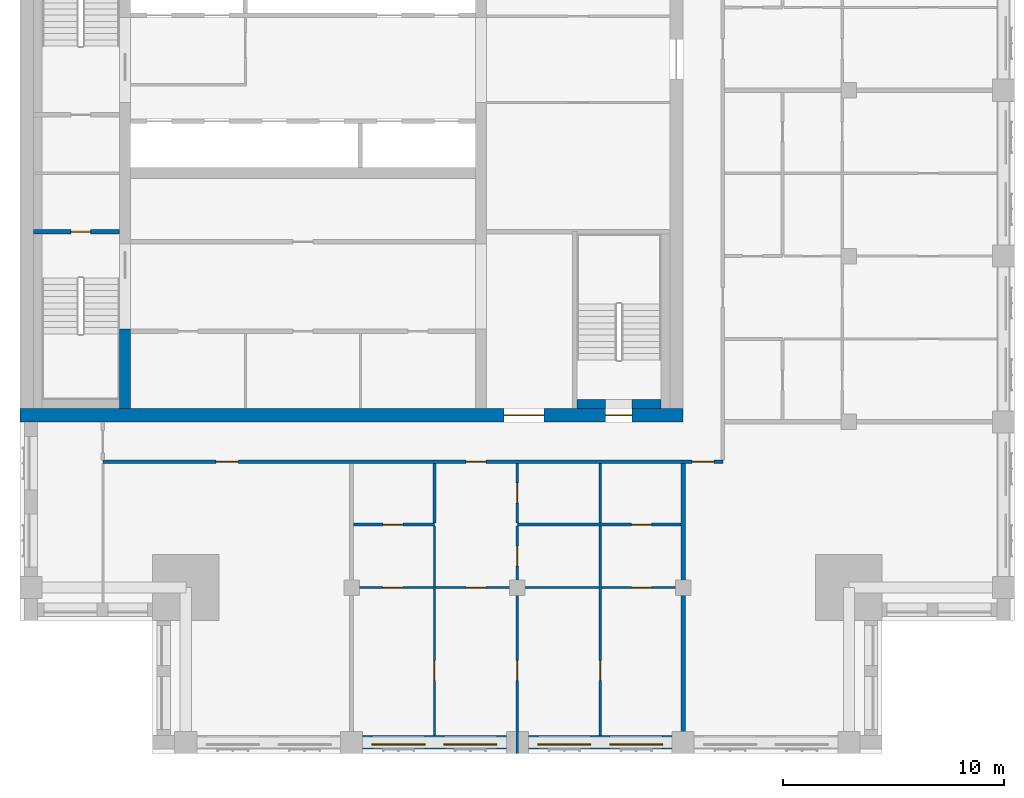
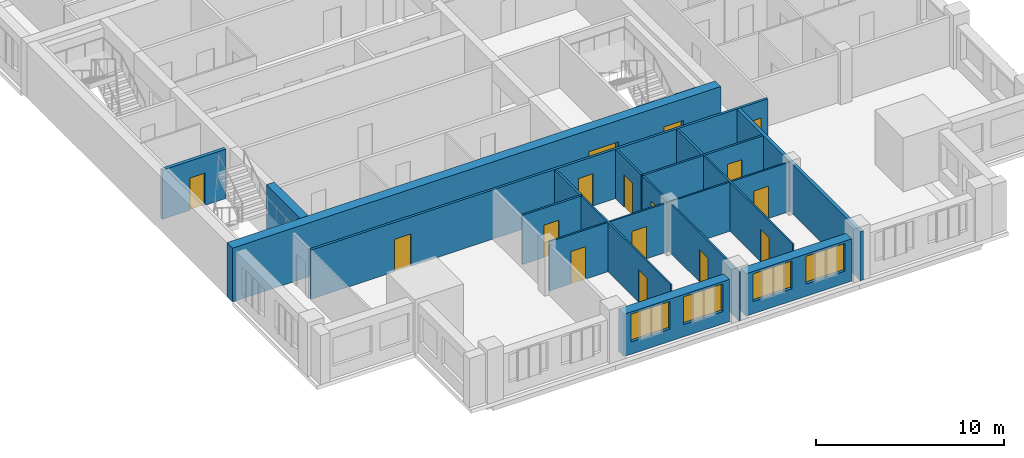
# One storey, part 3 of 10: 18 walls, 16 doors, 4 windows, 20 openings.
"""IFC4 building model written with IfcOpenShell, lengths in metres."""

from ifc_helpers import new_model, si_unit, direction, frame, frame_2d, origin, place, context, subcontext, project, spatial, rectangle, extrude, material, layer, layer_set, type_object, element, fill, save


model = new_model("IFC4")

# Units and contexts
model_context = context("Model", 3, precision=1e-05, world=origin(), true_north=direction((0.0, 1.0)))
body_context = subcontext(model_context, "Body", "Model", "MODEL_VIEW")
ifc_project = project(units=[si_unit("LENGTHUNIT", "METRE"), si_unit("AREAUNIT", "SQUARE_METRE"), si_unit("VOLUMEUNIT", "CUBIC_METRE"), si_unit("PLANEANGLEUNIT", "RADIAN"), si_unit("MASSUNIT", "GRAM", prefix="KILO")], contexts=[model_context])

# Site, building, storey
site_placement = place(None, origin())
site = spatial("IfcSite", under=ifc_project, at=site_placement, CompositionType="ELEMENT")
building_placement = place(site_placement, origin())
building = spatial("IfcBuilding", under=site, at=building_placement, Name="Tamorin Gate", CompositionType="ELEMENT")
storey_placement = place(building_placement, frame((0.0, 0.0, 283.699951171875)))
storey = spatial("IfcBuildingStorey", under=building, at=storey_placement, Name="L71", CompositionType="ELEMENT", Elevation=283.699951171875)

# Wall, openings, windows
ifc_material_1 = material(Name="Precast concrete C40/50", Category="concrete")
ifc_layer_1 = layer(ifc_material_1, 0.60009765625)
ifc_layer_set_1 = layer_set([ifc_layer_1], Name="Precast concrete C40/50")
wall_type_1 = type_object("IfcWallType", Name="Board-marked concrete facade panel 600", PredefinedType="SOLIDWALL", material=ifc_layer_set_1)
wall_1_placement = place(storey_placement, frame((45.5, 45.5, 0.0), z_axis=(0.0, 0.0, 1.0), x_axis=(1.0, 0.0, 0.0)))
wall_1 = element("IfcWall", 1, at=wall_1_placement, inside=storey, type_object=wall_type_1, Name="Facade panel", PredefinedType="SOLIDWALL", context=body_context, shape_type="SweptSolid", body=[
    extrude(rectangle(XDim=6.5, YDim=0.60009765625, at=frame_2d((3.25, 0.0))), origin(), (0.0, 0.0, 1.0), 2.75),
])
opening_1_placement = place(wall_1_placement, frame((0.425048828125, 0.0, 0.800048828125)))
opening_1 = element("IfcOpeningElement", 2, at=opening_1_placement, cuts=wall_1, Name="Opening WN1", PredefinedType="OPENING", context=body_context, shape_type="SweptSolid", body=[
    extrude(rectangle(XDim=2.39990234375, YDim=1.800048828125, at=frame_2d((1.199951171875, 0.89990234375))), frame((0.0, 0.31005859375, 0.0), z_axis=(0.0, -1.0, 0.0), x_axis=(1.0, 0.0, 0.0)), (0.0, 0.0, 1.0), 0.6201171875),
])
opening_2_placement = place(wall_1_placement, frame((3.675048828125, 0.0, 0.800048828125)))
opening_2 = element("IfcOpeningElement", 3, at=opening_2_placement, cuts=wall_1, Name="Opening WN1", PredefinedType="OPENING", context=body_context, shape_type="SweptSolid", body=[
    extrude(rectangle(XDim=2.39990234375, YDim=1.800048828125, at=frame_2d((1.199951171875, 0.89990234375))), frame((0.0, 0.31005859375, 0.0), z_axis=(0.0, -1.0, 0.0), x_axis=(1.0, 0.0, 0.0)), (0.0, 0.0, 1.0), 0.6201171875),
])
ifc_material_2 = material(Name="Clear glass in aluminium frame", Category="aluminium")
window_type = type_object("IfcWindowType", Name="Deep-set window 2400x1800", PartitioningType="SINGLE_PANEL", PredefinedType="WINDOW", material=ifc_material_2)
window_1_placement = place(opening_1_placement, origin())
window_1 = element("IfcWindow", 4, at=window_1_placement, inside=storey, type_object=window_type, Name="Deep-set window", OverallHeight=1.800048828125, OverallWidth=2.39990234375, PartitioningType="SINGLE_PANEL", PredefinedType="WINDOW", context=body_context, shape_type="SweptSolid", body=[
    extrude(rectangle(XDim=2.39990234375, YDim=1.800048828125, at=frame_2d((1.199951171875, 0.89990234375))), frame((0.0, -0.070068359375, 0.0), z_axis=(0.0, -1.0, 0.0), x_axis=(1.0, 0.0, 0.0)), (0.0, 0.0, 1.0), 0.06005859375),
])
fill(opening_1, window_1)
window_2_placement = place(opening_2_placement, origin())
window_2 = element("IfcWindow", 5, at=window_2_placement, inside=storey, type_object=window_type, Name="Deep-set window", OverallHeight=1.800048828125, OverallWidth=2.39990234375, PartitioningType="SINGLE_PANEL", PredefinedType="WINDOW", context=body_context, shape_type="SweptSolid", body=[
    extrude(rectangle(XDim=2.39990234375, YDim=1.800048828125, at=frame_2d((1.199951171875, 0.89990234375))), frame((0.0, -0.070068359375, 0.0), z_axis=(0.0, -1.0, 0.0), x_axis=(1.0, 0.0, 0.0)), (0.0, 0.0, 1.0), 0.06005859375),
])
fill(opening_2, window_2)

wall_2_placement = place(storey_placement, frame((53.0, 45.5, 0.0), z_axis=(0.0, 0.0, 1.0), x_axis=(1.0, 0.0, 0.0)))
wall_2 = element("IfcWall", 6, at=wall_2_placement, inside=storey, type_object=wall_type_1, Name="Facade panel", PredefinedType="SOLIDWALL", context=body_context, shape_type="SweptSolid", body=[
    extrude(rectangle(XDim=6.5, YDim=0.60009765625, at=frame_2d((3.25, 0.0))), origin(), (0.0, 0.0, 1.0), 2.75),
])
opening_3_placement = place(wall_2_placement, frame((0.425048828125, 0.0, 0.800048828125)))
opening_3 = element("IfcOpeningElement", 7, at=opening_3_placement, cuts=wall_2, Name="Opening WN1", PredefinedType="OPENING", context=body_context, shape_type="SweptSolid", body=[
    extrude(rectangle(XDim=2.39990234375, YDim=1.800048828125, at=frame_2d((1.199951171875, 0.89990234375))), frame((0.0, 0.31005859375, 0.0), z_axis=(0.0, -1.0, 0.0), x_axis=(1.0, 0.0, 0.0)), (0.0, 0.0, 1.0), 0.6201171875),
])
opening_4_placement = place(wall_2_placement, frame((3.675048828125, 0.0, 0.800048828125)))
opening_4 = element("IfcOpeningElement", 8, at=opening_4_placement, cuts=wall_2, Name="Opening WN1", PredefinedType="OPENING", context=body_context, shape_type="SweptSolid", body=[
    extrude(rectangle(XDim=2.39990234375, YDim=1.800048828125, at=frame_2d((1.199951171875, 0.89990234375))), frame((0.0, 0.31005859375, 0.0), z_axis=(0.0, -1.0, 0.0), x_axis=(1.0, 0.0, 0.0)), (0.0, 0.0, 1.0), 0.6201171875),
])
window_3_placement = place(opening_3_placement, origin())
window_3 = element("IfcWindow", 9, at=window_3_placement, inside=storey, type_object=window_type, Name="Deep-set window", OverallHeight=1.800048828125, OverallWidth=2.39990234375, PartitioningType="SINGLE_PANEL", PredefinedType="WINDOW", context=body_context, shape_type="SweptSolid", body=[
    extrude(rectangle(XDim=2.39990234375, YDim=1.800048828125, at=frame_2d((1.199951171875, 0.89990234375))), frame((0.0, -0.070068359375, 0.0), z_axis=(0.0, -1.0, 0.0), x_axis=(1.0, 0.0, 0.0)), (0.0, 0.0, 1.0), 0.06005859375),
])
fill(opening_3, window_3)
window_4_placement = place(opening_4_placement, origin())
window_4 = element("IfcWindow", 10, at=window_4_placement, inside=storey, type_object=window_type, Name="Deep-set window", OverallHeight=1.800048828125, OverallWidth=2.39990234375, PartitioningType="SINGLE_PANEL", PredefinedType="WINDOW", context=body_context, shape_type="SweptSolid", body=[
    extrude(rectangle(XDim=2.39990234375, YDim=1.800048828125, at=frame_2d((1.199951171875, 0.89990234375))), frame((0.0, -0.070068359375, 0.0), z_axis=(0.0, -1.0, 0.0), x_axis=(1.0, 0.0, 0.0)), (0.0, 0.0, 1.0), 0.06005859375),
])
fill(opening_4, window_4)

# Wall, openings, doors
ifc_material_3 = material(Name="Gypsum board partition")
ifc_layer_2 = layer(ifc_material_3, 0.14990234375)
ifc_layer_set_2 = layer_set([ifc_layer_2], Name="Corridor wall 150")
wall_type_2 = type_object("IfcWallType", Name="Corridor wall 150", PredefinedType="PARTITIONING", material=ifc_layer_set_2)
wall_3_placement = place(storey_placement, frame((33.75, 58.199951171875, 0.0), z_axis=(0.0, 0.0, 1.0), x_axis=(1.0, 0.0, 0.0)))
wall_3 = element("IfcWall", 11, at=wall_3_placement, inside=storey, type_object=wall_type_2, Name="Corridor wall 150", PredefinedType="PARTITIONING", context=body_context, shape_type="SweptSolid", body=[
    extrude(rectangle(XDim=28.050048828125, YDim=0.14990234375, at=frame_2d((14.02490234375, 0.0))), origin(), (0.0, 0.0, 1.0), 3.199951171875),
])
opening_5_placement = place(wall_3_placement, frame((5.125, 0.0, 0.0)))
opening_5 = element("IfcOpeningElement", 12, at=opening_5_placement, cuts=wall_3, Name="Opening DR10002", PredefinedType="OPENING", context=body_context, shape_type="SweptSolid", body=[
    extrude(rectangle(XDim=1.0, YDim=2.10009765625, at=frame_2d((0.5, 1.050048828125))), frame((0.0, 0.0849609375, 0.0), z_axis=(0.0, -1.0, 0.0), x_axis=(1.0, 0.0, 0.0)), (0.0, 0.0, 1.0), 0.169921875),
])
opening_6_placement = place(wall_3_placement, frame((16.425048828125, 0.0, 0.0)))
opening_6 = element("IfcOpeningElement", 13, at=opening_6_placement, cuts=wall_3, Name="Opening DR10005", PredefinedType="OPENING", context=body_context, shape_type="SweptSolid", body=[
    extrude(rectangle(XDim=0.89990234375, YDim=2.10009765625, at=frame_2d((0.449951171875, 1.050048828125))), frame((0.0, 0.0849609375, 0.0), z_axis=(0.0, -1.0, 0.0), x_axis=(1.0, 0.0, 0.0)), (0.0, 0.0, 1.0), 0.169921875),
])
opening_7_placement = place(wall_3_placement, frame((26.64990234375, 0.0, 0.0)))
opening_7 = element("IfcOpeningElement", 14, at=opening_7_placement, cuts=wall_3, Name="Opening DR10014", PredefinedType="OPENING", context=body_context, shape_type="SweptSolid", body=[
    extrude(rectangle(XDim=1.0, YDim=2.10009765625, at=frame_2d((0.5, 1.050048828125))), frame((0.0, 0.0849609375, 0.0), z_axis=(0.0, -1.0, 0.0), x_axis=(1.0, 0.0, 0.0)), (0.0, 0.0, 1.0), 0.169921875),
])
ifc_material_4 = material(Name="Timber door leaf", Category="wood")
door_type_1 = type_object("IfcDoorType", Name="Door 1000 x 2100 FD30S", OperationType="NOTDEFINED", PredefinedType="DOOR", material=ifc_material_4)
door_1_placement = place(opening_5_placement, origin())
door_1 = element("IfcDoor", 15, at=door_1_placement, inside=storey, type_object=door_type_1, Name="Door DR10002", OperationType="SINGLE_SWING_RIGHT", OverallHeight=2.10009765625, OverallWidth=1.0, PredefinedType="DOOR", context=body_context, shape_type="SweptSolid", body=[
    extrude(rectangle(XDim=1.0, YDim=2.10009765625, at=frame_2d((0.5, 1.050048828125))), frame((0.0, 0.02490234375, 0.0), z_axis=(0.0, -1.0, 0.0), x_axis=(1.0, 0.0, 0.0)), (0.0, 0.0, 1.0), 0.050048828125),
])
fill(opening_5, door_1)
door_2_placement = place(opening_7_placement, origin())
door_2 = element("IfcDoor", 16, at=door_2_placement, inside=storey, type_object=door_type_1, Name="Door DR10014", OperationType="SINGLE_SWING_RIGHT", OverallHeight=2.10009765625, OverallWidth=1.0, PredefinedType="DOOR", context=body_context, shape_type="SweptSolid", body=[
    extrude(rectangle(XDim=1.0, YDim=2.10009765625, at=frame_2d((0.5, 1.050048828125))), frame((0.0, 0.02490234375, 0.0), z_axis=(0.0, -1.0, 0.0), x_axis=(1.0, 0.0, 0.0)), (0.0, 0.0, 1.0), 0.050048828125),
])
fill(opening_7, door_2)
door_type_2 = type_object("IfcDoorType", Name="Door 900 x 2100 FD30S", OperationType="NOTDEFINED", PredefinedType="DOOR", material=ifc_material_4)
door_3_placement = place(opening_6_placement, origin())
door_3 = element("IfcDoor", 17, at=door_3_placement, inside=storey, type_object=door_type_2, Name="Door DR10005", OperationType="SINGLE_SWING_RIGHT", OverallHeight=2.10009765625, OverallWidth=0.89990234375, PredefinedType="DOOR", context=body_context, shape_type="SweptSolid", body=[
    extrude(rectangle(XDim=0.89990234375, YDim=2.10009765625, at=frame_2d((0.449951171875, 1.050048828125))), frame((0.0, 0.02490234375, 0.0), z_axis=(0.0, -1.0, 0.0), x_axis=(1.0, 0.0, 0.0)), (0.0, 0.0, 1.0), 0.050048828125),
])
fill(opening_6, door_3)

# Walls
ifc_layer_3 = layer(ifc_material_3, 0.199951171875)
ifc_layer_set_3 = layer_set([ifc_layer_3], Name="Demising wall 200")
wall_type_3 = type_object("IfcWallType", Name="Demising wall 200", PredefinedType="PARTITIONING", material=ifc_layer_set_3)
wall_4_placement = place(storey_placement, frame((60.0, 45.0, 0.0), z_axis=(0.0, 0.0, 1.0), x_axis=(0.0, 1.0, 0.0)))
element("IfcWall", 18, at=wall_4_placement, inside=storey, type_object=wall_type_3, Name="Demising wall 200", PredefinedType="PARTITIONING", context=body_context, shape_type="SweptSolid", body=[
    extrude(rectangle(XDim=13.125, YDim=0.199951171875, at=frame_2d((6.5625, 0.0))), origin(), (0.0, 0.0, 1.0), 3.199951171875),
])
ifc_material_5 = material(Name="Concrete C50/60", Category="concrete")
ifc_layer_4 = layer(ifc_material_5, 0.5)
ifc_layer_set_4 = layer_set([ifc_layer_4], Name="RC core internal wall 500 C50/60")
wall_type_4 = type_object("IfcWallType", Name="RC core internal wall 500 C50/60", PredefinedType="SHEAR", material=ifc_layer_set_4)
wall_5_placement = place(storey_placement, frame((34.75, 60.60009765625, 0.0), z_axis=(0.0, 0.0, 1.0), x_axis=(0.0, 1.0, 0.0)))
element("IfcWall", 19, at=wall_5_placement, inside=storey, type_object=wall_type_4, Name="Core cross wall L71", PredefinedType="SHEAR", context=body_context, shape_type="SweptSolid", body=[
    extrude(rectangle(XDim=3.599853515625, YDim=0.5, at=frame_2d((1.7998046875, 0.0))), origin(), (0.0, 0.0, 1.0), 3.5),
])

# Wall, openings, doors
ifc_layer_5 = layer(ifc_material_5, 0.60009765625)
ifc_layer_set_5 = layer_set([ifc_layer_5], Name="RC core wall 600 C50/60")
wall_type_5 = type_object("IfcWallType", Name="RC core wall 600 C50/60", PredefinedType="SHEAR", material=ifc_layer_set_5)
wall_6_placement = place(storey_placement, frame((30.0, 60.300048828125, 0.0), z_axis=(0.0, 0.0, 1.0), x_axis=(1.0, 0.0, 0.0)))
wall_6 = element("IfcWall", 20, at=wall_6_placement, inside=storey, type_object=wall_type_5, Name="Core wall L71", PredefinedType="SHEAR", context=body_context, shape_type="SweptSolid", body=[
    extrude(rectangle(XDim=30.0, YDim=0.60009765625, at=frame_2d((15.0, 0.0))), origin(), (0.0, 0.0, 1.0), 3.5),
])
opening_8_placement = place(wall_6_placement, frame((21.89990234375, 0.0, 0.0)))
opening_8 = element("IfcOpeningElement", 21, at=opening_8_placement, cuts=wall_6, Name="Opening DE1", PredefinedType="OPENING", context=body_context, shape_type="SweptSolid", body=[
    extrude(rectangle(XDim=1.800048828125, YDim=2.10009765625, at=frame_2d((0.89990234375, 1.050048828125))), frame((0.0, 0.31005859375, 0.0), z_axis=(0.0, -1.0, 0.0), x_axis=(1.0, 0.0, 0.0)), (0.0, 0.0, 1.0), 0.6201171875),
])
opening_9_placement = place(wall_6_placement, frame((26.5, 0.0, 0.0)))
opening_9 = element("IfcOpeningElement", 22, at=opening_9_placement, cuts=wall_6, Name="Opening DS1", PredefinedType="OPENING", context=body_context, shape_type="SweptSolid", body=[
    extrude(rectangle(XDim=1.199951171875, YDim=2.10009765625, at=frame_2d((0.60009765625, 1.050048828125))), frame((0.0, 0.31005859375, 0.0), z_axis=(0.0, -1.0, 0.0), x_axis=(1.0, 0.0, 0.0)), (0.0, 0.0, 1.0), 0.6201171875),
])
ifc_material_6 = material(Name="Steel fire door", Category="steel")
door_type_3 = type_object("IfcDoorType", Name="Lobby exit double door 1800 x 2100 EI 60", OperationType="DOUBLE_DOOR_SINGLE_SWING", PredefinedType="DOOR", material=ifc_material_6)
door_4_placement = place(opening_8_placement, origin())
door_4 = element("IfcDoor", 23, at=door_4_placement, inside=storey, type_object=door_type_3, Name="Lift lobby A exit door", OperationType="DOUBLE_DOOR_SINGLE_SWING", OverallHeight=2.10009765625, OverallWidth=1.800048828125, PredefinedType="DOOR", context=body_context, shape_type="SweptSolid", body=[
    extrude(rectangle(XDim=1.800048828125, YDim=2.10009765625, at=frame_2d((0.89990234375, 1.050048828125))), frame((0.0, 0.02490234375, 0.0), z_axis=(0.0, -1.0, 0.0), x_axis=(1.0, 0.0, 0.0)), (0.0, 0.0, 1.0), 0.050048828125),
])
fill(opening_8, door_4)
door_type_4 = type_object("IfcDoorType", Name="Stair door 1200 x 2100 EI 90", OperationType="SINGLE_SWING_LEFT", PredefinedType="DOOR", material=ifc_material_6)
door_5_placement = place(opening_9_placement, origin())
door_5 = element("IfcDoor", 24, at=door_5_placement, inside=storey, type_object=door_type_4, Name="ST3 door", OperationType="SINGLE_SWING_LEFT", OverallHeight=2.10009765625, OverallWidth=1.199951171875, PredefinedType="DOOR", context=body_context, shape_type="SweptSolid", body=[
    extrude(rectangle(XDim=1.199951171875, YDim=2.10009765625, at=frame_2d((0.60009765625, 1.050048828125))), frame((0.0, 0.02490234375, 0.0), z_axis=(0.0, -1.0, 0.0), x_axis=(1.0, 0.0, 0.0)), (0.0, 0.0, 1.0), 0.050048828125),
])
fill(opening_9, door_5)

ifc_layer_6 = layer(ifc_material_3, 0.10009765625)
ifc_layer_set_6 = layer_set([ifc_layer_6], Name="Room partition 100")
wall_type_6 = type_object("IfcWallType", Name="Room partition 100", PredefinedType="PARTITIONING", material=ifc_layer_set_6)
wall_7_placement = place(storey_placement, frame((45.10009765625, 52.5, 0.0), z_axis=(0.0, 0.0, 1.0), x_axis=(1.0, 0.0, 0.0)))
wall_7 = element("IfcWall", 25, at=wall_7_placement, inside=storey, type_object=wall_type_6, Name="Room partition 100", PredefinedType="PARTITIONING", context=body_context, shape_type="SweptSolid", body=[
    extrude(rectangle(XDim=14.7998046875, YDim=0.10009765625, at=frame_2d((7.39990234375, 0.0))), origin(), (0.0, 0.0, 1.0), 3.199951171875),
])
opening_10_placement = place(wall_7_placement, frame((1.324951171875, 0.0, 0.0)))
opening_10 = element("IfcOpeningElement", 26, at=opening_10_placement, cuts=wall_7, Name="Opening DR10003", PredefinedType="OPENING", context=body_context, shape_type="SweptSolid", body=[
    extrude(rectangle(XDim=0.89990234375, YDim=2.10009765625, at=frame_2d((0.449951171875, 1.050048828125))), frame((0.0, 0.06005859375, 0.0), z_axis=(0.0, -1.0, 0.0), x_axis=(1.0, 0.0, 0.0)), (0.0, 0.0, 1.0), 0.1201171875),
])
opening_11_placement = place(wall_7_placement, frame((5.074951171875, 0.0, 0.0)))
opening_11 = element("IfcOpeningElement", 27, at=opening_11_placement, cuts=wall_7, Name="Opening DR10006", PredefinedType="OPENING", context=body_context, shape_type="SweptSolid", body=[
    extrude(rectangle(XDim=0.89990234375, YDim=2.10009765625, at=frame_2d((0.449951171875, 1.050048828125))), frame((0.0, 0.06005859375, 0.0), z_axis=(0.0, -1.0, 0.0), x_axis=(1.0, 0.0, 0.0)), (0.0, 0.0, 1.0), 0.1201171875),
])
opening_12_placement = place(wall_7_placement, frame((12.574951171875, 0.0, 0.0)))
opening_12 = element("IfcOpeningElement", 28, at=opening_12_placement, cuts=wall_7, Name="Opening DR10009", PredefinedType="OPENING", context=body_context, shape_type="SweptSolid", body=[
    extrude(rectangle(XDim=0.89990234375, YDim=2.10009765625, at=frame_2d((0.449951171875, 1.050048828125))), frame((0.0, 0.06005859375, 0.0), z_axis=(0.0, -1.0, 0.0), x_axis=(1.0, 0.0, 0.0)), (0.0, 0.0, 1.0), 0.1201171875),
])
door_type_5 = type_object("IfcDoorType", Name="Door 900 x 2100", OperationType="NOTDEFINED", PredefinedType="DOOR", material=ifc_material_4)
door_6_placement = place(opening_10_placement, origin())
door_6 = element("IfcDoor", 29, at=door_6_placement, inside=storey, type_object=door_type_5, Name="Door DR10003", OperationType="SINGLE_SWING_LEFT", OverallHeight=2.10009765625, OverallWidth=0.89990234375, PredefinedType="DOOR", context=body_context, shape_type="SweptSolid", body=[
    extrude(rectangle(XDim=0.89990234375, YDim=2.10009765625, at=frame_2d((0.449951171875, 1.050048828125))), frame((0.0, 0.02490234375, 0.0), z_axis=(0.0, -1.0, 0.0), x_axis=(1.0, 0.0, 0.0)), (0.0, 0.0, 1.0), 0.050048828125),
])
fill(opening_10, door_6)
door_7_placement = place(opening_11_placement, origin())
door_7 = element("IfcDoor", 30, at=door_7_placement, inside=storey, type_object=door_type_5, Name="Door DR10006", OperationType="SINGLE_SWING_LEFT", OverallHeight=2.10009765625, OverallWidth=0.89990234375, PredefinedType="DOOR", context=body_context, shape_type="SweptSolid", body=[
    extrude(rectangle(XDim=0.89990234375, YDim=2.10009765625, at=frame_2d((0.449951171875, 1.050048828125))), frame((0.0, 0.02490234375, 0.0), z_axis=(0.0, -1.0, 0.0), x_axis=(1.0, 0.0, 0.0)), (0.0, 0.0, 1.0), 0.050048828125),
])
fill(opening_11, door_7)
door_8_placement = place(opening_12_placement, origin())
door_8 = element("IfcDoor", 31, at=door_8_placement, inside=storey, type_object=door_type_5, Name="Door DR10009", OperationType="SINGLE_SWING_LEFT", OverallHeight=2.10009765625, OverallWidth=0.89990234375, PredefinedType="DOOR", context=body_context, shape_type="SweptSolid", body=[
    extrude(rectangle(XDim=0.89990234375, YDim=2.10009765625, at=frame_2d((0.449951171875, 1.050048828125))), frame((0.0, 0.02490234375, 0.0), z_axis=(0.0, -1.0, 0.0), x_axis=(1.0, 0.0, 0.0)), (0.0, 0.0, 1.0), 0.050048828125),
])
fill(opening_12, door_8)

# Wall, opening, door
wall_8_placement = place(storey_placement, frame((48.75, 45.81005859375, 0.0), z_axis=(0.0, 0.0, 1.0), x_axis=(0.0, 1.0, 0.0)))
wall_8 = element("IfcWall", 32, at=wall_8_placement, inside=storey, type_object=wall_type_6, Name="Room partition 100", PredefinedType="PARTITIONING", context=body_context, shape_type="SweptSolid", body=[
    extrude(rectangle(XDim=9.4775390625, YDim=0.10009765625, at=frame_2d((4.73876953125, 0.0))), origin(), (0.0, 0.0, 1.0), 3.199951171875),
])
opening_13_placement = place(wall_8_placement, frame((2.489990234375, 0.0, 0.0)))
opening_13 = element("IfcOpeningElement", 33, at=opening_13_placement, cuts=wall_8, Name="Opening DR10011", PredefinedType="OPENING", context=body_context, shape_type="SweptSolid", body=[
    extrude(rectangle(XDim=0.89990234375, YDim=2.10009765625, at=frame_2d((0.449951171875, 1.050048828125))), frame((0.0, 0.06005859375, 0.0), z_axis=(0.0, -1.0, 0.0), x_axis=(1.0, 0.0, 0.0)), (0.0, 0.0, 1.0), 0.1201171875),
])
door_9_placement = place(opening_13_placement, origin())
door_9 = element("IfcDoor", 34, at=door_9_placement, inside=storey, type_object=door_type_5, Name="Door DR10011", OperationType="SINGLE_SWING_LEFT", OverallHeight=2.10009765625, OverallWidth=0.89990234375, PredefinedType="DOOR", context=body_context, shape_type="SweptSolid", body=[
    extrude(rectangle(XDim=0.89990234375, YDim=2.10009765625, at=frame_2d((0.449951171875, 1.050048828125))), frame((0.0, 0.02490234375, 0.0), z_axis=(0.0, -1.0, 0.0), x_axis=(1.0, 0.0, 0.0)), (0.0, 0.0, 1.0), 0.050048828125),
])
fill(opening_13, door_9)

# Wall, openings, doors
wall_9_placement = place(storey_placement, frame((52.5, 45.0, 0.0), z_axis=(0.0, 0.0, 1.0), x_axis=(0.0, 1.0, 0.0)))
wall_9 = element("IfcWall", 35, at=wall_9_placement, inside=storey, type_object=wall_type_6, Name="Room partition 100", PredefinedType="PARTITIONING", context=body_context, shape_type="SweptSolid", body=[
    extrude(rectangle(XDim=10.28759765625, YDim=0.10009765625, at=frame_2d((5.143798828125, 0.0))), origin(), (0.0, 0.0, 1.0), 3.199951171875),
])
opening_14_placement = place(wall_9_placement, frame((8.47509765625, 0.0, 0.0)))
opening_14 = element("IfcOpeningElement", 36, at=opening_14_placement, cuts=wall_9, Name="Opening DR10007", PredefinedType="OPENING", context=body_context, shape_type="SweptSolid", body=[
    extrude(rectangle(XDim=0.89990234375, YDim=2.10009765625, at=frame_2d((0.449951171875, 1.050048828125))), frame((0.0, 0.06005859375, 0.0), z_axis=(0.0, -1.0, 0.0), x_axis=(1.0, 0.0, 0.0)), (0.0, 0.0, 1.0), 0.1201171875),
])
opening_15_placement = place(wall_9_placement, frame((3.300048828125, 0.0, 0.0)))
opening_15 = element("IfcOpeningElement", 37, at=opening_15_placement, cuts=wall_9, Name="Opening DR10012", PredefinedType="OPENING", context=body_context, shape_type="SweptSolid", body=[
    extrude(rectangle(XDim=0.89990234375, YDim=2.10009765625, at=frame_2d((0.449951171875, 1.050048828125))), frame((0.0, 0.06005859375, 0.0), z_axis=(0.0, -1.0, 0.0), x_axis=(1.0, 0.0, 0.0)), (0.0, 0.0, 1.0), 0.1201171875),
])
door_10_placement = place(opening_14_placement, origin())
door_10 = element("IfcDoor", 38, at=door_10_placement, inside=storey, type_object=door_type_5, Name="Door DR10007", OperationType="SINGLE_SWING_RIGHT", OverallHeight=2.10009765625, OverallWidth=0.89990234375, PredefinedType="DOOR", context=body_context, shape_type="SweptSolid", body=[
    extrude(rectangle(XDim=0.89990234375, YDim=2.10009765625, at=frame_2d((0.449951171875, 1.050048828125))), frame((0.0, 0.02490234375, 0.0), z_axis=(0.0, -1.0, 0.0), x_axis=(1.0, 0.0, 0.0)), (0.0, 0.0, 1.0), 0.050048828125),
])
fill(opening_14, door_10)
door_11_placement = place(opening_15_placement, origin())
door_11 = element("IfcDoor", 39, at=door_11_placement, inside=storey, type_object=door_type_5, Name="Door DR10012", OperationType="SINGLE_SWING_LEFT", OverallHeight=2.10009765625, OverallWidth=0.89990234375, PredefinedType="DOOR", context=body_context, shape_type="SweptSolid", body=[
    extrude(rectangle(XDim=0.89990234375, YDim=2.10009765625, at=frame_2d((0.449951171875, 1.050048828125))), frame((0.0, 0.02490234375, 0.0), z_axis=(0.0, -1.0, 0.0), x_axis=(1.0, 0.0, 0.0)), (0.0, 0.0, 1.0), 0.050048828125),
])
fill(opening_15, door_11)

# Wall, opening, door
wall_10_placement = place(storey_placement, frame((56.25, 45.81005859375, 0.0), z_axis=(0.0, 0.0, 1.0), x_axis=(0.0, 1.0, 0.0)))
wall_10 = element("IfcWall", 40, at=wall_10_placement, inside=storey, type_object=wall_type_6, Name="Room partition 100", PredefinedType="PARTITIONING", context=body_context, shape_type="SweptSolid", body=[
    extrude(rectangle(XDim=9.4775390625, YDim=0.10009765625, at=frame_2d((4.73876953125, 0.0))), origin(), (0.0, 0.0, 1.0), 3.199951171875),
])
opening_16_placement = place(wall_10_placement, frame((2.489990234375, 0.0, 0.0)))
opening_16 = element("IfcOpeningElement", 41, at=opening_16_placement, cuts=wall_10, Name="Opening DR10013", PredefinedType="OPENING", context=body_context, shape_type="SweptSolid", body=[
    extrude(rectangle(XDim=0.89990234375, YDim=2.10009765625, at=frame_2d((0.449951171875, 1.050048828125))), frame((0.0, 0.06005859375, 0.0), z_axis=(0.0, -1.0, 0.0), x_axis=(1.0, 0.0, 0.0)), (0.0, 0.0, 1.0), 0.1201171875),
])
door_12_placement = place(opening_16_placement, origin())
door_12 = element("IfcDoor", 42, at=door_12_placement, inside=storey, type_object=door_type_5, Name="Door DR10013", OperationType="SINGLE_SWING_LEFT", OverallHeight=2.10009765625, OverallWidth=0.89990234375, PredefinedType="DOOR", context=body_context, shape_type="SweptSolid", body=[
    extrude(rectangle(XDim=0.89990234375, YDim=2.10009765625, at=frame_2d((0.449951171875, 1.050048828125))), frame((0.0, 0.02490234375, 0.0), z_axis=(0.0, -1.0, 0.0), x_axis=(1.0, 0.0, 0.0)), (0.0, 0.0, 1.0), 0.050048828125),
])
fill(opening_16, door_12)

ifc_material_7 = material(Name="Concrete C40/50", Category="concrete")
ifc_layer_7 = layer(ifc_material_7, 0.199951171875)
ifc_layer_set_7 = layer_set([ifc_layer_7], Name="Stair enclosure wall 200 EI 120 C40/50")
wall_type_7 = type_object("IfcWallType", Name="Stair enclosure wall 200 EI 120 C40/50", PredefinedType="SOLIDWALL", material=ifc_layer_set_7)
wall_11_placement = place(storey_placement, frame((30.60009765625, 68.60009765625, 0.0), z_axis=(0.0, 0.0, 1.0), x_axis=(1.0, 0.0, 0.0)))
wall_11 = element("IfcWall", 43, at=wall_11_placement, inside=storey, type_object=wall_type_7, Name="Stair enclosure wall", PredefinedType="SOLIDWALL", context=body_context, shape_type="SweptSolid", body=[
    extrude(rectangle(XDim=3.89990234375, YDim=0.199951171875, at=frame_2d((1.949951171875, 0.0))), origin(), (0.0, 0.0, 1.0), 3.199951171875),
])
opening_17_placement = place(wall_11_placement, frame((1.699951171875, 0.0, 0.0)))
opening_17 = element("IfcOpeningElement", 44, at=opening_17_placement, cuts=wall_11, Name="Opening DR1", PredefinedType="OPENING", context=body_context, shape_type="SweptSolid", body=[
    extrude(rectangle(XDim=0.89990234375, YDim=2.10009765625, at=frame_2d((0.449951171875, 1.050048828125))), frame((0.0, 0.10986328125, 0.0), z_axis=(0.0, -1.0, 0.0), x_axis=(1.0, 0.0, 0.0)), (0.0, 0.0, 1.0), 0.219970703125),
])
door_type_6 = type_object("IfcDoorType", Name="Riser access door 900 x 2100 EI 120", OperationType="SINGLE_SWING_LEFT", PredefinedType="DOOR", material=ifc_material_6)
door_13_placement = place(opening_17_placement, origin())
door_13 = element("IfcDoor", 45, at=door_13_placement, inside=storey, type_object=door_type_6, Name="Electrical riser door", OperationType="SINGLE_SWING_LEFT", OverallHeight=2.10009765625, OverallWidth=0.89990234375, PredefinedType="DOOR", context=body_context, shape_type="SweptSolid", body=[
    extrude(rectangle(XDim=0.89990234375, YDim=2.10009765625, at=frame_2d((0.449951171875, 1.050048828125))), frame((0.0, 0.02490234375, 0.0), z_axis=(0.0, -1.0, 0.0), x_axis=(1.0, 0.0, 0.0)), (0.0, 0.0, 1.0), 0.050048828125),
])
fill(opening_17, door_13)

# Walls
ifc_layer_8 = layer(ifc_material_5, 0.39990234375)
ifc_layer_set_8 = layer_set([ifc_layer_8], Name="Stair lining wall 400 EI 120 C50/60")
wall_type_8 = type_object("IfcWallType", Name="Stair lining wall 400 EI 120 C50/60", PredefinedType="SOLIDWALL", material=ifc_layer_set_8)
for number, where, z_axis, x_axis, name in (
    (46, (55.199951171875, 60.800048828125, 0.0), (0.0, 0.0, 1.0), (1.0, 0.0, 0.0), "Stair lining wall"),
    (47, (57.699951171875, 60.800048828125, 0.0), (0.0, 0.0, 1.0), (1.0, 0.0, 0.0), "Stair lining wall"),
):
    element("IfcWall", number, at=place(storey_placement, frame(where, z_axis=z_axis, x_axis=x_axis)), inside=storey, type_object=wall_type_8, Name=name, PredefinedType="SOLIDWALL", context=body_context, shape_type="SweptSolid", body=[
        extrude(rectangle(XDim=1.300048828125, YDim=0.39990234375, at=frame_2d((0.64990234375, 0.0))), origin(), (0.0, 0.0, 1.0), 3.199951171875),
    ])

# Wall, opening, door
ifc_layer_9 = layer(ifc_material_3, 0.125)
ifc_layer_set_9 = layer_set([ifc_layer_9], Name="Wet wall 125")
wall_type_9 = type_object("IfcWallType", Name="Wet wall 125", PredefinedType="PARTITIONING", material=ifc_layer_set_9)
wall_12_placement = place(storey_placement, frame((45.10009765625, 55.35009765625, 0.0), z_axis=(0.0, 0.0, 1.0), x_axis=(1.0, 0.0, 0.0)))
wall_12 = element("IfcWall", 48, at=wall_12_placement, inside=storey, type_object=wall_type_9, Name="Wet wall 125", PredefinedType="PARTITIONING", context=body_context, shape_type="SweptSolid", body=[
    extrude(rectangle(XDim=3.64990234375, YDim=0.125, at=frame_2d((1.824951171875, 0.0))), origin(), (0.0, 0.0, 1.0), 3.199951171875),
])
opening_18_placement = place(wall_12_placement, frame((1.324951171875, 0.0, 0.0)))
opening_18 = element("IfcOpeningElement", 49, at=opening_18_placement, cuts=wall_12, Name="Opening DR10004", PredefinedType="OPENING", context=body_context, shape_type="SweptSolid", body=[
    extrude(rectangle(XDim=0.89990234375, YDim=2.10009765625, at=frame_2d((0.449951171875, 1.050048828125))), frame((0.0, 0.072509765625, 0.0), z_axis=(0.0, -1.0, 0.0), x_axis=(1.0, 0.0, 0.0)), (0.0, 0.0, 1.0), 0.14501953125),
])
door_14_placement = place(opening_18_placement, origin())
door_14 = element("IfcDoor", 50, at=door_14_placement, inside=storey, type_object=door_type_5, Name="Door DR10004", OperationType="SINGLE_SWING_LEFT", OverallHeight=2.10009765625, OverallWidth=0.89990234375, PredefinedType="DOOR", context=body_context, shape_type="SweptSolid", body=[
    extrude(rectangle(XDim=0.89990234375, YDim=2.10009765625, at=frame_2d((0.449951171875, 1.050048828125))), frame((0.0, 0.02490234375, 0.0), z_axis=(0.0, -1.0, 0.0), x_axis=(1.0, 0.0, 0.0)), (0.0, 0.0, 1.0), 0.050048828125),
])
fill(opening_18, door_14)

wall_13_placement = place(storey_placement, frame((52.5, 55.35009765625, 0.0), z_axis=(0.0, 0.0, 1.0), x_axis=(1.0, 0.0, 0.0)))
wall_13 = element("IfcWall", 51, at=wall_13_placement, inside=storey, type_object=wall_type_9, Name="Wet wall 125", PredefinedType="PARTITIONING", context=body_context, shape_type="SweptSolid", body=[
    extrude(rectangle(XDim=7.39990234375, YDim=0.125, at=frame_2d((3.699951171875, 0.0))), origin(), (0.0, 0.0, 1.0), 3.199951171875),
])
opening_19_placement = place(wall_13_placement, frame((5.175048828125, 0.0, 0.0)))
opening_19 = element("IfcOpeningElement", 52, at=opening_19_placement, cuts=wall_13, Name="Opening DR10010", PredefinedType="OPENING", context=body_context, shape_type="SweptSolid", body=[
    extrude(rectangle(XDim=0.89990234375, YDim=2.10009765625, at=frame_2d((0.449951171875, 1.050048828125))), frame((0.0, 0.072509765625, 0.0), z_axis=(0.0, -1.0, 0.0), x_axis=(1.0, 0.0, 0.0)), (0.0, 0.0, 1.0), 0.14501953125),
])
door_15_placement = place(opening_19_placement, origin())
door_15 = element("IfcDoor", 53, at=door_15_placement, inside=storey, type_object=door_type_5, Name="Door DR10010", OperationType="SINGLE_SWING_LEFT", OverallHeight=2.10009765625, OverallWidth=0.89990234375, PredefinedType="DOOR", context=body_context, shape_type="SweptSolid", body=[
    extrude(rectangle(XDim=0.89990234375, YDim=2.10009765625, at=frame_2d((0.449951171875, 1.050048828125))), frame((0.0, 0.02490234375, 0.0), z_axis=(0.0, -1.0, 0.0), x_axis=(1.0, 0.0, 0.0)), (0.0, 0.0, 1.0), 0.050048828125),
])
fill(opening_19, door_15)

# Wall
wall_14_placement = place(storey_placement, frame((48.75, 55.41259765625, 0.0), z_axis=(0.0, 0.0, 1.0), x_axis=(0.0, 1.0, 0.0)))
element("IfcWall", 54, at=wall_14_placement, inside=storey, type_object=wall_type_9, Name="Wet wall 125", PredefinedType="PARTITIONING", context=body_context, shape_type="SweptSolid", body=[
    extrude(rectangle(XDim=2.71240234375, YDim=0.125, at=frame_2d((1.356201171875, 0.0))), origin(), (0.0, 0.0, 1.0), 3.199951171875),
])

# Wall, opening, door
wall_15_placement = place(storey_placement, frame((52.5, 55.41259765625, 0.0), z_axis=(0.0, 0.0, 1.0), x_axis=(0.0, 1.0, 0.0)))
wall_15 = element("IfcWall", 55, at=wall_15_placement, inside=storey, type_object=wall_type_9, Name="Wet wall 125", PredefinedType="PARTITIONING", context=body_context, shape_type="SweptSolid", body=[
    extrude(rectangle(XDim=2.71240234375, YDim=0.125, at=frame_2d((1.356201171875, 0.0))), origin(), (0.0, 0.0, 1.0), 3.199951171875),
])
opening_20_placement = place(wall_15_placement, frame((0.91259765625, 0.0, 0.0)))
opening_20 = element("IfcOpeningElement", 56, at=opening_20_placement, cuts=wall_15, Name="Opening DR10008", PredefinedType="OPENING", context=body_context, shape_type="SweptSolid", body=[
    extrude(rectangle(XDim=0.89990234375, YDim=2.10009765625, at=frame_2d((0.449951171875, 1.050048828125))), frame((0.0, 0.072509765625, 0.0), z_axis=(0.0, -1.0, 0.0), x_axis=(1.0, 0.0, 0.0)), (0.0, 0.0, 1.0), 0.14501953125),
])
door_16_placement = place(opening_20_placement, origin())
door_16 = element("IfcDoor", 57, at=door_16_placement, inside=storey, type_object=door_type_5, Name="Door DR10008", OperationType="SINGLE_SWING_RIGHT", OverallHeight=2.10009765625, OverallWidth=0.89990234375, PredefinedType="DOOR", context=body_context, shape_type="SweptSolid", body=[
    extrude(rectangle(XDim=0.89990234375, YDim=2.10009765625, at=frame_2d((0.449951171875, 1.050048828125))), frame((0.0, 0.02490234375, 0.0), z_axis=(0.0, -1.0, 0.0), x_axis=(1.0, 0.0, 0.0)), (0.0, 0.0, 1.0), 0.050048828125),
])
fill(opening_20, door_16)

# Wall
wall_16_placement = place(storey_placement, frame((56.25, 55.41259765625, 0.0), z_axis=(0.0, 0.0, 1.0), x_axis=(0.0, 1.0, 0.0)))
element("IfcWall", 58, at=wall_16_placement, inside=storey, type_object=wall_type_9, Name="Wet wall 125", PredefinedType="PARTITIONING", context=body_context, shape_type="SweptSolid", body=[
    extrude(rectangle(XDim=2.71240234375, YDim=0.125, at=frame_2d((1.356201171875, 0.0))), origin(), (0.0, 0.0, 1.0), 3.199951171875),
])

save(model, "model.ifc")
